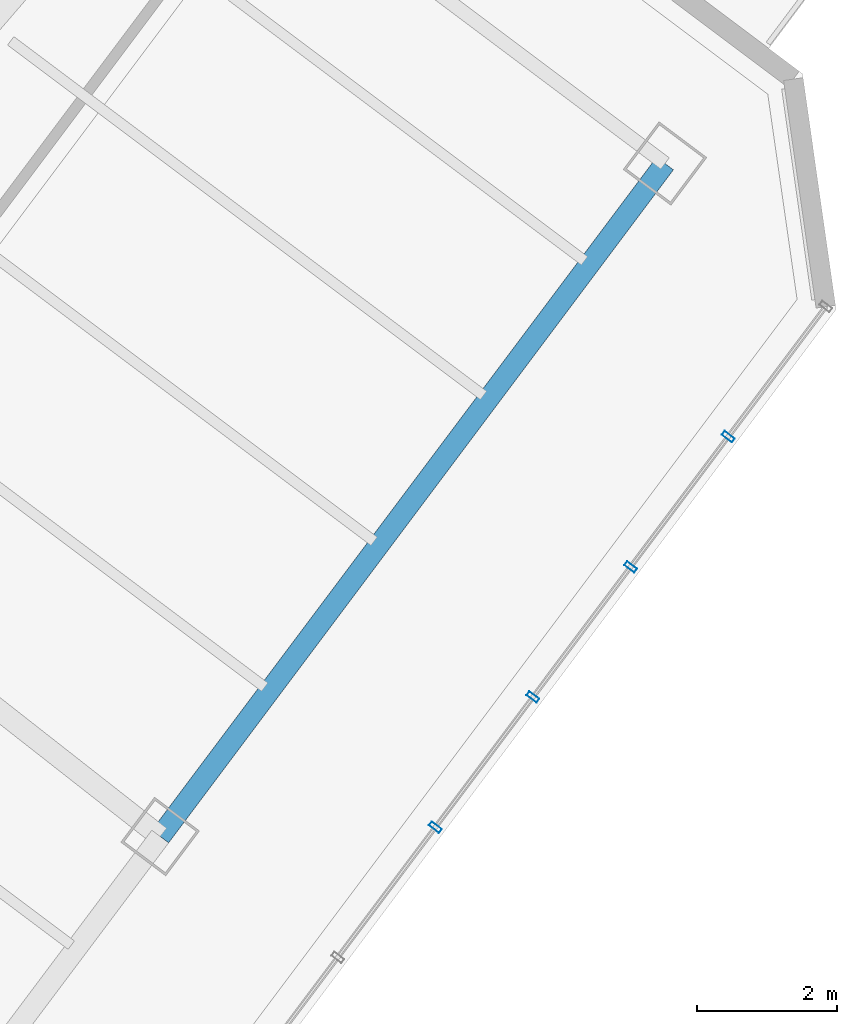
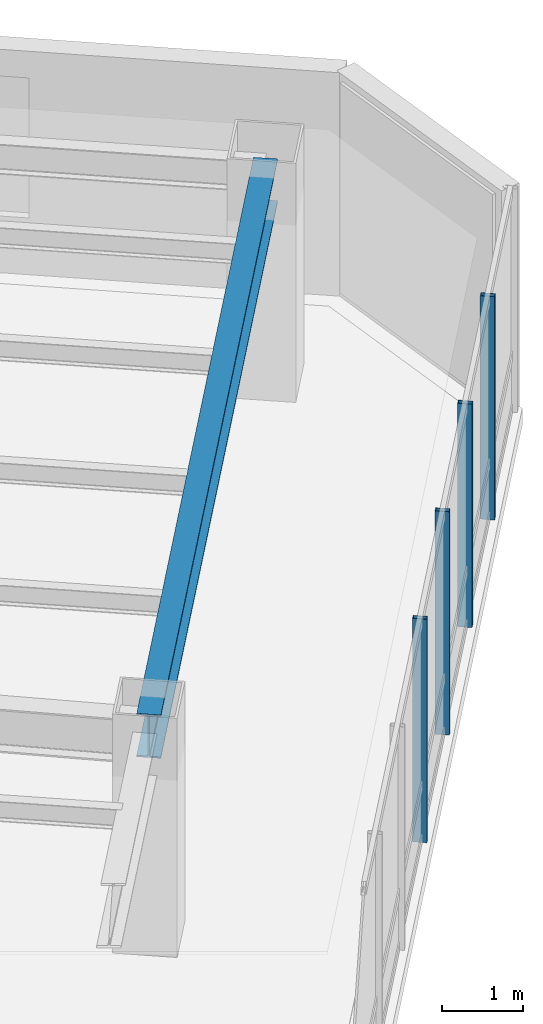
# One storey, part 13 of 26: 4 members, 1 beam, 1 element without a shape of its own.
"""IFC4 building model written with IfcOpenShell, lengths in metres."""

from ifc_helpers import new_model, si_unit, direction, frame, origin, origin_2d, place, context, subcontext, project, spatial, hollow_rectangle, i_section, extrude, material, layer, layer_set, material_profile, profile_set, type_object, element, aggregate, save


model = new_model("IFC4")

# Units and contexts
model_context = context("Model", 3, precision=1e-05, world=origin(), true_north=direction((0.0, 1.0)))
body_context = subcontext(model_context, "Body", "Model", "MODEL_VIEW")
ifc_project = project(units=[si_unit("LENGTHUNIT", "METRE"), si_unit("AREAUNIT", "SQUARE_METRE"), si_unit("VOLUMEUNIT", "CUBIC_METRE"), si_unit("PLANEANGLEUNIT", "RADIAN"), si_unit("MASSUNIT", "GRAM", prefix="KILO")], contexts=[model_context])

# Site, building, storey
site_placement = place(None, origin())
site = spatial("IfcSite", under=ifc_project, at=site_placement, CompositionType="ELEMENT")
building_placement = place(site_placement, origin())
building = spatial("IfcBuilding", under=site, at=building_placement, Name="Hatsunagi Terrace Concourse", CompositionType="ELEMENT")
storey_placement = place(building_placement, frame((0.0, 0.0, 134.85009765625)))
storey = spatial("IfcBuildingStorey", under=building, at=storey_placement, Name="L35", CompositionType="ELEMENT", Elevation=134.85009765625)

# Curtain wall, members
ifc_material_1 = material(Name="Anodised Aluminium Alloy 6063-T5", Category="aluminium")
ifc_layer = layer(ifc_material_1, 0.199951171875)
ifc_layer_set = layer_set([ifc_layer], Name="OfficeZone1_CW03")
curtain_wall_type = type_object("IfcCurtainWallType", Name="OfficeZone1_CW03", PredefinedType="NOTDEFINED", material=ifc_layer_set)
curtain_wall_placement = place(storey_placement, origin())
curtain_wall = element("IfcCurtainWall", 1, at=curtain_wall_placement, inside=storey, type_object=curtain_wall_type, Name="Unitised Curtain Wall CW-03 CW-L35-03", PredefinedType="NOTDEFINED")
ifc_material_2 = material(Name="Anodised Aluminium Alloy 6063-T5", Category="aluminium")
ifc_material_profile_1 = material_profile(ifc_material_2, hollow_rectangle(XDim=0.070068359375, YDim=0.179931640625, WallThickness=0.00390625, at=origin_2d()), Name="ALU-MUL-180x70x4")
ifc_profile_set_1 = profile_set([ifc_material_profile_1], Name="Anodised Aluminium Alloy 6063-T5")
member_type = type_object("IfcMemberType", Name="CurtainWallMullion_180x70", PredefinedType="MULLION", material=ifc_profile_set_1)
member_1_placement = place(storey_placement, frame((59.301025390625, 24.10205078125, 0.0), z_axis=(0.0, 0.0, 1.0), x_axis=(-0.599969314634, -0.800023013105, 0.0)))
member_1 = element("IfcMember", 2, at=member_1_placement, type_object=member_type, Name="Curtain Wall Mullion MUL-02", PredefinedType="MULLION", context=body_context, shape_type="SweptSolid", body=[
    extrude(hollow_rectangle(XDim=0.070068359375, YDim=0.179931640625, WallThickness=0.00390625, at=origin_2d()), origin(), (0.0, 0.0, 1.0), 3.349853515625),
])
member_2_placement = place(storey_placement, frame((57.908935546875, 22.2451171875, 0.0), z_axis=(0.0, 0.0, 1.0), x_axis=(-0.599969314634, -0.800023013105, 0.0)))
member_2 = element("IfcMember", 3, at=member_2_placement, type_object=member_type, Name="Curtain Wall Mullion MUL-02", PredefinedType="MULLION", context=body_context, shape_type="SweptSolid", body=[
    extrude(hollow_rectangle(XDim=0.070068359375, YDim=0.179931640625, WallThickness=0.00390625, at=origin_2d()), origin(), (0.0, 0.0, 1.0), 3.349853515625),
])
member_3_placement = place(storey_placement, frame((56.51611328125, 20.388916015625, 0.0), z_axis=(0.0, 0.0, 1.0), x_axis=(-0.599969314634, -0.800023013105, 0.0)))
member_3 = element("IfcMember", 4, at=member_3_placement, type_object=member_type, Name="Curtain Wall Mullion MUL-02", PredefinedType="MULLION", context=body_context, shape_type="SweptSolid", body=[
    extrude(hollow_rectangle(XDim=0.070068359375, YDim=0.179931640625, WallThickness=0.00390625, at=origin_2d()), origin(), (0.0, 0.0, 1.0), 3.349853515625),
])
member_4_placement = place(storey_placement, frame((55.1240234375, 18.531982421875, 0.0), z_axis=(0.0, 0.0, 1.0), x_axis=(-0.599969314634, -0.800023013105, 0.0)))
member_4 = element("IfcMember", 5, at=member_4_placement, type_object=member_type, Name="Curtain Wall Mullion MUL-02", PredefinedType="MULLION", context=body_context, shape_type="SweptSolid", body=[
    extrude(hollow_rectangle(XDim=0.070068359375, YDim=0.179931640625, WallThickness=0.00390625, at=origin_2d()), origin(), (0.0, 0.0, 1.0), 3.349853515625),
])
aggregate(curtain_wall, [member_1, member_2, member_3, member_4])

# Beam
ifc_material_3 = material(Name="Steel SN490B", Category="steel")
ifc_material_profile_2 = material_profile(ifc_material_3, i_section(OverallWidth=0.300048828125, OverallDepth=0.64990234375, WebThickness=0.012939453125, FlangeThickness=0.02197265625, FilletRadius=0.01806640625, at=origin_2d()), Name="H-650x300x13x22")
ifc_profile_set_2 = profile_set([ifc_material_profile_2], Name="Steel SN490B")
beam_type = type_object("IfcBeamType", Name="OfficeLowGirder_H_650x300", PredefinedType="BEAM", material=ifc_profile_set_2)
beam_placement = place(storey_placement, frame((51.199951171875, 18.39990234375, 3.02490234375), z_axis=(0.59999348959, 0.800004882766, 0.0), x_axis=(-0.800004882766, 0.59999348959, 0.0)))
element("IfcBeam", 6, at=beam_placement, inside=storey, type_object=beam_type, Name="Beam G-05 BM-L35-SET-2B", PredefinedType="BEAM", context=body_context, shape_type="SweptSolid", body=[
    extrude(i_section(OverallWidth=0.300048828125, OverallDepth=0.64990234375, WebThickness=0.012939453125, FlangeThickness=0.02197265625, FilletRadius=0.01806640625, at=origin_2d()), origin(), (0.0, 0.0, 1.0), 12.0),
])

save(model, "model.ifc")
